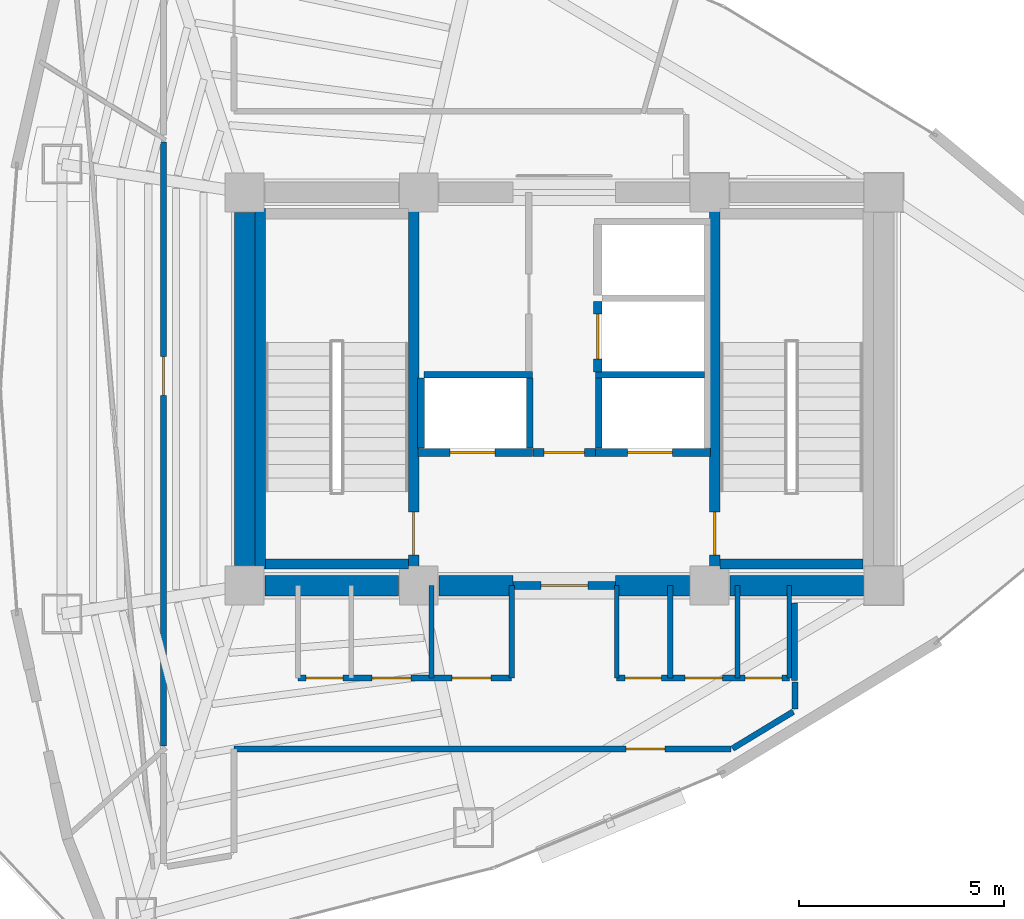
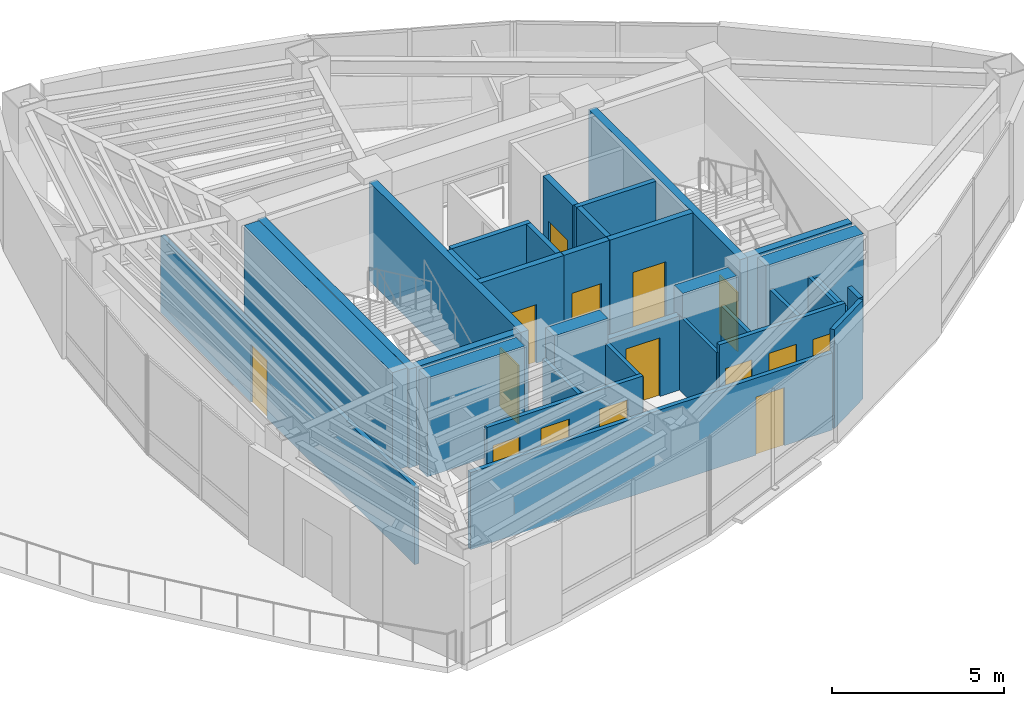
# One storey, part 13 of 17: 33 walls, 15 doors, 15 openings.
"""IFC4 building model written with IfcOpenShell, lengths in metres."""

from ifc_helpers import new_model, si_unit, direction, frame, frame_2d, origin, place, context, subcontext, project, spatial, rectangle, extrude, material, layer, layer_set, type_object, element, fill, save


model = new_model("IFC4")

# Units and contexts
model_context = context("Model", 3, precision=1e-05, world=origin(), true_north=direction((0.0, 1.0)))
body_context = subcontext(model_context, "Body", "Model", "MODEL_VIEW")
ifc_project = project(units=[si_unit("LENGTHUNIT", "METRE"), si_unit("AREAUNIT", "SQUARE_METRE"), si_unit("VOLUMEUNIT", "CUBIC_METRE"), si_unit("PLANEANGLEUNIT", "RADIAN"), si_unit("MASSUNIT", "GRAM", prefix="KILO")], contexts=[model_context])

# Site, building, storey
site_placement = place(None, origin())
site = spatial("IfcSite", under=ifc_project, at=site_placement, CompositionType="ELEMENT")
building_placement = place(site_placement, origin())
building = spatial("IfcBuilding", under=site, at=building_placement, Name="Menara Vayukalpa", CompositionType="ELEMENT")
storey_placement = place(building_placement, frame((0.0, 0.0, 206.39990234375)))
storey = spatial("IfcBuildingStorey", under=building, at=storey_placement, Name="L52", CompositionType="ELEMENT", Elevation=206.39990234375)

# Walls
ifc_material_1 = material(Name="Concrete C60/75", Category="concrete")
ifc_layer_1 = layer(ifc_material_1, 0.5)
ifc_layer_set_1 = layer_set([ifc_layer_1], Name="Concrete C60/75")
wall_type_1 = type_object("IfcWallType", Name="WAL-CW500", PredefinedType="SHEAR", material=ifc_layer_set_1)
wall_1_placement = place(storey_placement, frame((18.294921875, 17.199951171875, 0.0), z_axis=(0.0, 0.0, 1.0), x_axis=(1.0, 0.0, 0.0)))
element("IfcWall", 1, at=wall_1_placement, inside=storey, type_object=wall_type_1, Name="L52 Buttressed Core Shear Wall CWS1", PredefinedType="SHEAR", context=body_context, shape_type="SweptSolid", body=[
    extrude(rectangle(XDim=3.260009765625, YDim=0.5, at=frame_2d((1.6298828125, 0.0))), origin(), (0.0, 0.0, 1.0), 3.5),
])
wall_2_placement = place(storey_placement, frame((22.544921875, 17.199951171875, 0.0), z_axis=(0.0, 0.0, 1.0), x_axis=(1.0, 0.0, 0.0)))
element("IfcWall", 2, at=wall_2_placement, inside=storey, type_object=wall_type_1, Name="L52 Buttressed Core Shear Wall CWS2", PredefinedType="SHEAR", context=body_context, shape_type="SweptSolid", body=[
    extrude(rectangle(XDim=1.80517578125, YDim=0.5, at=frame_2d((0.902587890625, 0.0))), origin(), (0.0, 0.0, 1.0), 3.5),
])
wall_3_placement = place(storey_placement, frame((26.85009765625, 17.199951171875, 0.0), z_axis=(0.0, 0.0, 1.0), x_axis=(1.0, 0.0, 0.0)))
element("IfcWall", 3, at=wall_3_placement, inside=storey, type_object=wall_type_1, Name="L52 Buttressed Core Shear Wall CWS3", PredefinedType="SHEAR", context=body_context, shape_type="SweptSolid", body=[
    extrude(rectangle(XDim=1.804931640625, YDim=0.5, at=frame_2d((0.90234375, 0.0))), origin(), (0.0, 0.0, 1.0), 3.5),
])
wall_4_placement = place(storey_placement, frame((29.64501953125, 17.199951171875, 0.0), z_axis=(0.0, 0.0, 1.0), x_axis=(1.0, 0.0, 0.0)))
element("IfcWall", 4, at=wall_4_placement, inside=storey, type_object=wall_type_1, Name="L52 Buttressed Core Shear Wall CWS4", PredefinedType="SHEAR", context=body_context, shape_type="SweptSolid", body=[
    extrude(rectangle(XDim=3.260009765625, YDim=0.5, at=frame_2d((1.6298828125, 0.0))), origin(), (0.0, 0.0, 1.0), 3.5),
])
wall_5_placement = place(storey_placement, frame((17.800048828125, 17.695068359375, 0.0), z_axis=(0.0, 0.0, 1.0), x_axis=(0.0, 1.0, 0.0)))
element("IfcWall", 5, at=wall_5_placement, inside=storey, type_object=wall_type_1, Name="L52 Buttressed Core Shear Wall CWW1", PredefinedType="SHEAR", context=body_context, shape_type="SweptSolid", body=[
    extrude(rectangle(XDim=8.60986328125, YDim=0.5, at=frame_2d((4.304931640625, 0.0))), origin(), (0.0, 0.0, 1.0), 3.5),
])
ifc_material_2 = material(Name="Lightweight Concrete Blockwork C16/20", Category="masonry")
ifc_layer_2 = layer(ifc_material_2, 0.159912109375)
ifc_layer_set_2 = layer_set([ifc_layer_2], Name="Lightweight Concrete Blockwork C16/20")
wall_type_2 = type_object("IfcWallType", Name="WAL-FR150", PredefinedType="PARTITIONING", material=ifc_layer_set_2)
for number, where, z_axis, x_axis, name in (
    (6, (22.10498046875, 20.56005859375, 0.0), (0.0, 0.0, 1.0), (0.0, 1.0, 0.0), "L52 Interior Partition IW-L52-SHW-WW"),
    (7, (24.7548828125, 20.56005859375, 0.0), (0.0, 0.0, 1.0), (0.0, 1.0, 0.0), "L52 Interior Partition IW-L52-SHW-W1E"),
):
    element("IfcWall", number, at=place(storey_placement, frame(where, z_axis=z_axis, x_axis=x_axis)), inside=storey, type_object=wall_type_2, Name=name, PredefinedType="PARTITIONING", context=body_context, shape_type="SweptSolid", body=[
        extrude(rectangle(XDim=1.7099609375, YDim=0.159912109375, at=frame_2d((0.85498046875, 0.0))), origin(), (0.0, 0.0, 1.0), 3.5),
    ])
wall_6_placement = place(storey_placement, frame((22.179931640625, 22.344970703125, 0.0), z_axis=(0.0, 0.0, 1.0), x_axis=(1.0, 0.0, 0.0)))
element("IfcWall", 8, at=wall_6_placement, inside=storey, type_object=wall_type_2, Name="L52 Interior Partition IW-L52-SHM-W12", PredefinedType="PARTITIONING", context=body_context, shape_type="SweptSolid", body=[
    extrude(rectangle(XDim=2.650146484375, YDim=0.159912109375, at=frame_2d((1.3251953125, 0.0))), origin(), (0.0, 0.0, 1.0), 3.5),
])
wall_7_placement = place(storey_placement, frame((26.445068359375, 20.56005859375, 0.0), z_axis=(0.0, 0.0, 1.0), x_axis=(0.0, 1.0, 0.0)))
element("IfcWall", 9, at=wall_7_placement, inside=storey, type_object=wall_type_2, Name="L52 Interior Partition IW-L52-SHW-E1W", PredefinedType="PARTITIONING", context=body_context, shape_type="SweptSolid", body=[
    extrude(rectangle(XDim=1.7099609375, YDim=0.159912109375, at=frame_2d((0.85498046875, 0.0))), origin(), (0.0, 0.0, 1.0), 3.5),
])
wall_8_placement = place(storey_placement, frame((26.3701171875, 22.344970703125, 0.0), z_axis=(0.0, 0.0, 1.0), x_axis=(1.0, 0.0, 0.0)))
element("IfcWall", 10, at=wall_8_placement, inside=storey, type_object=wall_type_2, Name="L52 Interior Partition IW-L52-SHM-E13", PredefinedType="PARTITIONING", context=body_context, shape_type="SweptSolid", body=[
    extrude(rectangle(XDim=2.64990234375, YDim=0.159912109375, at=frame_2d((1.324951171875, 0.0))), origin(), (0.0, 0.0, 1.0), 3.5),
])

# Wall, opening, door
ifc_material_3 = material(Name="Lightweight Concrete Blockwork C16/20", Category="masonry")
ifc_layer_3 = layer(ifc_material_3, 0.199951171875)
ifc_layer_set_3 = layer_set([ifc_layer_3], Name="Lightweight Concrete Blockwork C16/20")
wall_type_3 = type_object("IfcWallType", Name="WAL-FR200", PredefinedType="PARTITIONING", material=ifc_layer_set_3)
wall_9_placement = place(storey_placement, frame((24.35009765625, 17.199951171875, 0.0), z_axis=(0.0, 0.0, 1.0), x_axis=(1.0, 0.0, 0.0)))
wall_9 = element("IfcWall", 11, at=wall_9_placement, inside=storey, type_object=wall_type_3, Name="L52 Interior Partition IW-L52-FFLS", PredefinedType="PARTITIONING", context=body_context, shape_type="SweptSolid", body=[
    extrude(rectangle(XDim=2.5, YDim=0.199951171875, at=frame_2d((1.25, 0.0))), origin(), (0.0, 0.0, 1.0), 2.630126953125),
])
opening_1_placement = place(wall_9_placement, frame((0.679931640625, 0.0, 0.0)))
opening_1 = element("IfcOpeningElement", 12, at=opening_1_placement, cuts=wall_9, Name="Opening ID2", PredefinedType="OPENING", context=body_context, shape_type="SweptSolid", body=[
    extrude(rectangle(XDim=1.14990234375, YDim=2.080078125, at=frame_2d((0.574951171875, 1.0400390625))), frame((0.0, 0.10986328125, 0.0), z_axis=(0.0, -1.0, 0.0), x_axis=(1.0, 0.0, 0.0)), (0.0, 0.0, 1.0), 0.219970703125),
])
ifc_material_4 = material(Name="Fire-Rated Powder-Coated Steel Door", Category="steel")
door_type_1 = type_object("IfcDoorType", Name="DR-FD60W", OperationType="NOTDEFINED", PredefinedType="DOOR", material=ifc_material_4)
door_1_placement = place(opening_1_placement, origin())
door_1 = element("IfcDoor", 13, at=door_1_placement, inside=storey, type_object=door_type_1, Name="L52 Interior Door DR-L52-FFLS", OperationType="SINGLE_SWING_LEFT", OverallHeight=2.080078125, OverallWidth=1.14990234375, PredefinedType="DOOR", context=body_context, shape_type="SweptSolid", body=[
    extrude(rectangle(XDim=1.14990234375, YDim=2.080078125, at=frame_2d((0.574951171875, 1.0400390625))), frame((0.0, 0.02490234375, 0.0), z_axis=(0.0, -1.0, 0.0), x_axis=(1.0, 0.0, 0.0)), (0.0, 0.0, 1.0), 0.050048828125),
])
fill(opening_1, door_1)

wall_10_placement = place(storey_placement, frame((24.840087890625, 20.449951171875, 0.0), z_axis=(0.0, 0.0, 1.0), x_axis=(1.0, 0.0, 0.0)))
wall_10 = element("IfcWall", 14, at=wall_10_placement, inside=storey, type_object=wall_type_3, Name="L52 Interior Partition IW-L52-FFLN", PredefinedType="PARTITIONING", context=body_context, shape_type="SweptSolid", body=[
    extrude(rectangle(XDim=1.52001953125, YDim=0.199951171875, at=frame_2d((0.760009765625, 0.0))), origin(), (0.0, 0.0, 1.0), 3.5),
])
opening_2_placement = place(wall_10_placement, frame((0.27001953125, 0.0, 0.0)))
opening_2 = element("IfcOpeningElement", 15, at=opening_2_placement, cuts=wall_10, Name="Opening ID3", PredefinedType="OPENING", context=body_context, shape_type="SweptSolid", body=[
    extrude(rectangle(XDim=0.97998046875, YDim=2.06005859375, at=frame_2d((0.489990234375, 1.030029296875))), frame((0.0, 0.10986328125, 0.0), z_axis=(0.0, -1.0, 0.0), x_axis=(1.0, 0.0, 0.0)), (0.0, 0.0, 1.0), 0.219970703125),
])
ifc_material_5 = material(Name="Fire-Rated Powder-Coated Steel Door", Category="steel")
door_type_2 = type_object("IfcDoorType", Name="DR-FD60", OperationType="NOTDEFINED", PredefinedType="DOOR", material=ifc_material_5)
door_2_placement = place(opening_2_placement, origin())
door_2 = element("IfcDoor", 16, at=door_2_placement, inside=storey, type_object=door_type_2, Name="L52 Interior Door DR-L52-FFLN", OperationType="SINGLE_SWING_RIGHT", OverallHeight=2.06005859375, OverallWidth=0.97998046875, PredefinedType="DOOR", context=body_context, shape_type="SweptSolid", body=[
    extrude(rectangle(XDim=0.97998046875, YDim=2.06005859375, at=frame_2d((0.489990234375, 1.030029296875))), frame((0.0, 0.02490234375, 0.0), z_axis=(0.0, -1.0, 0.0), x_axis=(1.0, 0.0, 0.0)), (0.0, 0.0, 1.0), 0.050048828125),
])
fill(opening_2, door_2)

wall_11_placement = place(storey_placement, frame((22.030029296875, 20.449951171875, 0.0), z_axis=(0.0, 0.0, 1.0), x_axis=(1.0, 0.0, 0.0)))
wall_11 = element("IfcWall", 17, at=wall_11_placement, inside=storey, type_object=wall_type_3, Name="L52 Interior Partition IW-L52-SH-W1", PredefinedType="PARTITIONING", context=body_context, shape_type="SweptSolid", body=[
    extrude(rectangle(XDim=2.800048828125, YDim=0.199951171875, at=frame_2d((1.39990234375, 0.0))), origin(), (0.0, 0.0, 1.0), 3.5),
])
opening_3_placement = place(wall_11_placement, frame((0.780029296875, 0.0, 0.0)))
opening_3 = element("IfcOpeningElement", 18, at=opening_3_placement, cuts=wall_11, Name="Opening LD1", PredefinedType="OPENING", context=body_context, shape_type="SweptSolid", body=[
    extrude(rectangle(XDim=1.10009765625, YDim=2.080078125, at=frame_2d((0.550048828125, 1.0400390625))), frame((0.0, 0.10986328125, 0.0), z_axis=(0.0, -1.0, 0.0), x_axis=(1.0, 0.0, 0.0)), (0.0, 0.0, 1.0), 0.219970703125),
])
ifc_material_6 = material(Name="Brushed Stainless Steel 316 Lift Door", Category="steel")
door_type_3 = type_object("IfcDoorType", Name="DR-LD110", OperationType="NOTDEFINED", PredefinedType="DOOR", material=ifc_material_6)
door_3_placement = place(opening_3_placement, origin())
door_3 = element("IfcDoor", 19, at=door_3_placement, inside=storey, type_object=door_type_3, Name="L52 Interior Door DR-L52-LD-W1", OperationType="DOUBLE_DOOR_SLIDING", OverallHeight=2.080078125, OverallWidth=1.10009765625, PredefinedType="DOOR", context=body_context, shape_type="SweptSolid", body=[
    extrude(rectangle(XDim=1.10009765625, YDim=2.080078125, at=frame_2d((0.550048828125, 1.0400390625))), frame((0.0, 0.02490234375, 0.0), z_axis=(0.0, -1.0, 0.0), x_axis=(1.0, 0.0, 0.0)), (0.0, 0.0, 1.0), 0.050048828125),
])
fill(opening_3, door_3)

wall_12_placement = place(storey_placement, frame((26.3701171875, 20.449951171875, 0.0), z_axis=(0.0, 0.0, 1.0), x_axis=(1.0, 0.0, 0.0)))
wall_12 = element("IfcWall", 20, at=wall_12_placement, inside=storey, type_object=wall_type_3, Name="L52 Interior Partition IW-L52-SH-E1", PredefinedType="PARTITIONING", context=body_context, shape_type="SweptSolid", body=[
    extrude(rectangle(XDim=2.7998046875, YDim=0.199951171875, at=frame_2d((1.39990234375, 0.0))), origin(), (0.0, 0.0, 1.0), 3.5),
])
opening_4_placement = place(wall_12_placement, frame((0.780029296875, 0.0, 0.0)))
opening_4 = element("IfcOpeningElement", 21, at=opening_4_placement, cuts=wall_12, Name="Opening LD1", PredefinedType="OPENING", context=body_context, shape_type="SweptSolid", body=[
    extrude(rectangle(XDim=1.10009765625, YDim=2.080078125, at=frame_2d((0.550048828125, 1.0400390625))), frame((0.0, 0.10986328125, 0.0), z_axis=(0.0, -1.0, 0.0), x_axis=(1.0, 0.0, 0.0)), (0.0, 0.0, 1.0), 0.219970703125),
])
door_4_placement = place(opening_4_placement, origin())
door_4 = element("IfcDoor", 22, at=door_4_placement, inside=storey, type_object=door_type_3, Name="L52 Interior Door DR-L52-LD-E1", OperationType="DOUBLE_DOOR_SLIDING", OverallHeight=2.080078125, OverallWidth=1.10009765625, PredefinedType="DOOR", context=body_context, shape_type="SweptSolid", body=[
    extrude(rectangle(XDim=1.10009765625, YDim=2.080078125, at=frame_2d((0.550048828125, 1.0400390625))), frame((0.0, 0.02490234375, 0.0), z_axis=(0.0, -1.0, 0.0), x_axis=(1.0, 0.0, 0.0)), (0.0, 0.0, 1.0), 0.050048828125),
])
fill(opening_4, door_4)

wall_13_placement = place(storey_placement, frame((26.419921875, 22.419921875, 0.0), z_axis=(0.0, 0.0, 1.0), x_axis=(0.0, 1.0, 0.0)))
wall_13 = element("IfcWall", 23, at=wall_13_placement, inside=storey, type_object=wall_type_3, Name="L52 Interior Partition IW-L52-SH-E3", PredefinedType="PARTITIONING", context=body_context, shape_type="SweptSolid", body=[
    extrude(rectangle(XDim=1.719970703125, YDim=0.199951171875, at=frame_2d((0.85986328125, 0.0))), origin(), (0.0, 0.0, 1.0), 3.5),
])
opening_5_placement = place(wall_13_placement, frame((0.31005859375, 0.0, 0.0)))
opening_5 = element("IfcOpeningElement", 24, at=opening_5_placement, cuts=wall_13, Name="Opening LD1", PredefinedType="OPENING", context=body_context, shape_type="SweptSolid", body=[
    extrude(rectangle(XDim=1.10009765625, YDim=2.080078125, at=frame_2d((0.550048828125, 1.0400390625))), frame((0.0, 0.10986328125, 0.0), z_axis=(0.0, -1.0, 0.0), x_axis=(1.0, 0.0, 0.0)), (0.0, 0.0, 1.0), 0.219970703125),
])
door_5_placement = place(opening_5_placement, origin())
door_5 = element("IfcDoor", 25, at=door_5_placement, inside=storey, type_object=door_type_3, Name="L52 Interior Door DR-L52-LD-E3", OperationType="DOUBLE_DOOR_SLIDING", OverallHeight=2.080078125, OverallWidth=1.10009765625, PredefinedType="DOOR", context=body_context, shape_type="SweptSolid", body=[
    extrude(rectangle(XDim=1.10009765625, YDim=2.080078125, at=frame_2d((0.550048828125, 1.0400390625))), frame((0.0, 0.02490234375, 0.0), z_axis=(0.0, -1.0, 0.0), x_axis=(1.0, 0.0, 0.0)), (0.0, 0.0, 1.0), 0.050048828125),
])
fill(opening_5, door_5)

# Walls
ifc_material_7 = material(Name="Acoustic Mineral Stud Partition", Category="masonry")
ifc_layer_4 = layer(ifc_material_7, 0.110107421875)
ifc_layer_set_4 = layer_set([ifc_layer_4], Name="Acoustic Mineral Stud Partition")
wall_type_4 = type_object("IfcWallType", Name="WAL-PT110", PredefinedType="PARTITIONING", material=ifc_layer_set_4)
for number, where, z_axis, x_axis, name in (
    (26, (26.8798828125, 14.949951171875, 0.0), (0.0, 0.0, 1.0), (0.0, 1.0, 0.0), "L52 Interior Partition IW-L52-SVCD-05"),
    (27, (31.10009765625, 14.949951171875, 0.0), (0.0, 0.0, 1.0), (0.0, 1.0, 0.0), "L52 Interior Partition IW-L52-SVCD-08"),
):
    element("IfcWall", number, at=place(storey_placement, frame(where, z_axis=z_axis, x_axis=x_axis)), inside=storey, type_object=wall_type_4, Name=name, PredefinedType="PARTITIONING", context=body_context, shape_type="SweptSolid", body=[
        extrude(rectangle(XDim=2.25, YDim=0.110107421875, at=frame_2d((1.125, 0.0))), origin(), (0.0, 0.0, 1.0), 2.630126953125),
    ])
ifc_material_8 = material(Name="Gypsum Drywall Steel Stud Assembly", Category="steel")
ifc_layer_5 = layer(ifc_material_8, 0.125)
ifc_layer_set_5 = layer_set([ifc_layer_5], Name="Gypsum Drywall Steel Stud Assembly")
wall_type_5 = type_object("IfcWallType", Name="WAL-PT125", PredefinedType="PARTITIONING", material=ifc_layer_set_5)
for number, where, z_axis, x_axis, name in (
    (28, (22.360107421875, 14.949951171875, 0.0), (0.0, 0.0, 1.0), (0.0, 1.0, 0.0), "L52 Interior Partition IW-L52-SVCD-03"),
    (29, (24.320068359375, 14.949951171875, 0.0), (0.0, 0.0, 1.0), (0.0, 1.0, 0.0), "L52 Interior Partition IW-L52-SVCD-04"),
    (30, (28.18994140625, 14.949951171875, 0.0), (0.0, 0.0, 1.0), (0.0, 1.0, 0.0), "L52 Interior Partition IW-L52-SVCD-06"),
    (31, (29.830078125, 14.949951171875, 0.0), (0.0, 0.0, 1.0), (0.0, 1.0, 0.0), "L52 Interior Partition IW-L52-SVCD-07"),
):
    element("IfcWall", number, at=place(storey_placement, frame(where, z_axis=z_axis, x_axis=x_axis)), inside=storey, type_object=wall_type_5, Name=name, PredefinedType="PARTITIONING", context=body_context, shape_type="SweptSolid", body=[
        extrude(rectangle(XDim=2.25, YDim=0.125, at=frame_2d((1.125, 0.0))), origin(), (0.0, 0.0, 1.0), 2.630126953125),
    ])

# Wall, openings, doors
ifc_material_9 = material(Name="Gypsum Drywall Acoustic Stud Assembly", Category="masonry")
ifc_layer_6 = layer(ifc_material_9, 0.14501953125)
ifc_layer_set_6 = layer_set([ifc_layer_6], Name="Gypsum Drywall Acoustic Stud Assembly")
wall_type_6 = type_object("IfcWallType", Name="WAL-PT150", PredefinedType="PARTITIONING", material=ifc_layer_set_6)
wall_14_placement = place(storey_placement, frame((19.10009765625, 14.949951171875, 0.0), z_axis=(0.0, 0.0, 1.0), x_axis=(1.0, 0.0, 0.0)))
wall_14 = element("IfcWall", 32, at=wall_14_placement, inside=storey, type_object=wall_type_6, Name="L52 Interior Partition IW-L52-SVCS-W", PredefinedType="PARTITIONING", context=body_context, shape_type="SweptSolid", body=[
    extrude(rectangle(XDim=5.219970703125, YDim=0.14501953125, at=frame_2d((2.60986328125, 0.0))), origin(), (0.0, 0.0, 1.0), 2.72998046875),
])
opening_6_placement = place(wall_14_placement, frame((0.199951171875, 0.0, 0.0)))
opening_6 = element("IfcOpeningElement", 33, at=opening_6_placement, cuts=wall_14, Name="Opening ID7", PredefinedType="OPENING", context=body_context, shape_type="SweptSolid", body=[
    extrude(rectangle(XDim=0.89990234375, YDim=2.02001953125, at=frame_2d((0.449951171875, 1.010009765625))), frame((0.0, 0.08251953125, 0.0), z_axis=(0.0, -1.0, 0.0), x_axis=(1.0, 0.0, 0.0)), (0.0, 0.0, 1.0), 0.1650390625),
])
opening_7_placement = place(wall_14_placement, frame((1.804931640625, 0.0, 0.0)))
opening_7 = element("IfcOpeningElement", 34, at=opening_7_placement, cuts=wall_14, Name="Opening ID5", PredefinedType="OPENING", context=body_context, shape_type="SweptSolid", body=[
    extrude(rectangle(XDim=0.949951171875, YDim=2.06005859375, at=frame_2d((0.47509765625, 1.030029296875))), frame((0.0, 0.08251953125, 0.0), z_axis=(0.0, -1.0, 0.0), x_axis=(1.0, 0.0, 0.0)), (0.0, 0.0, 1.0), 0.1650390625),
])
opening_8_placement = place(wall_14_placement, frame((3.764892578125, 0.0, 0.0)))
opening_8 = element("IfcOpeningElement", 35, at=opening_8_placement, cuts=wall_14, Name="Opening ID5", PredefinedType="OPENING", context=body_context, shape_type="SweptSolid", body=[
    extrude(rectangle(XDim=0.949951171875, YDim=2.06005859375, at=frame_2d((0.47509765625, 1.030029296875))), frame((0.0, 0.08251953125, 0.0), z_axis=(0.0, -1.0, 0.0), x_axis=(1.0, 0.0, 0.0)), (0.0, 0.0, 1.0), 0.1650390625),
])
ifc_material_10 = material(Name="Acoustic Hardwood Veneer Timber Door", Category="wood")
door_type_4 = type_object("IfcDoorType", Name="DR-INT95", OperationType="NOTDEFINED", PredefinedType="DOOR", material=ifc_material_10)
door_6_placement = place(opening_7_placement, origin())
door_6 = element("IfcDoor", 36, at=door_6_placement, inside=storey, type_object=door_type_4, Name="L52 Interior Door DR-L52-AWC", OperationType="SINGLE_SWING_LEFT", OverallHeight=2.06005859375, OverallWidth=0.949951171875, PredefinedType="DOOR", context=body_context, shape_type="SweptSolid", body=[
    extrude(rectangle(XDim=0.949951171875, YDim=2.06005859375, at=frame_2d((0.47509765625, 1.030029296875))), frame((0.0, 0.02490234375, 0.0), z_axis=(0.0, -1.0, 0.0), x_axis=(1.0, 0.0, 0.0)), (0.0, 0.0, 1.0), 0.050048828125),
])
fill(opening_7, door_6)
door_7_placement = place(opening_8_placement, origin())
door_7 = element("IfcDoor", 37, at=door_7_placement, inside=storey, type_object=door_type_4, Name="L52 Interior Door DR-L52-SWC", OperationType="SINGLE_SWING_RIGHT", OverallHeight=2.06005859375, OverallWidth=0.949951171875, PredefinedType="DOOR", context=body_context, shape_type="SweptSolid", body=[
    extrude(rectangle(XDim=0.949951171875, YDim=2.06005859375, at=frame_2d((0.47509765625, 1.030029296875))), frame((0.0, 0.02490234375, 0.0), z_axis=(0.0, -1.0, 0.0), x_axis=(1.0, 0.0, 0.0)), (0.0, 0.0, 1.0), 0.050048828125),
])
fill(opening_8, door_7)
ifc_material_11 = material(Name="Powder-Coated Steel Riser Access Door", Category="steel")
door_type_5 = type_object("IfcDoorType", Name="DR-RISER", OperationType="NOTDEFINED", PredefinedType="DOOR", material=ifc_material_11)
door_8_placement = place(opening_6_placement, origin())
door_8 = element("IfcDoor", 38, at=door_8_placement, inside=storey, type_object=door_type_5, Name="L52 Interior Door DR-L52-ELR", OperationType="SINGLE_SWING_RIGHT", OverallHeight=2.02001953125, OverallWidth=0.89990234375, PredefinedType="DOOR", context=body_context, shape_type="SweptSolid", body=[
    extrude(rectangle(XDim=0.89990234375, YDim=2.02001953125, at=frame_2d((0.449951171875, 1.010009765625))), frame((0.0, 0.02490234375, 0.0), z_axis=(0.0, -1.0, 0.0), x_axis=(1.0, 0.0, 0.0)), (0.0, 0.0, 1.0), 0.050048828125),
])
fill(opening_6, door_8)

wall_15_placement = place(storey_placement, frame((26.8798828125, 14.949951171875, 0.0), z_axis=(0.0, 0.0, 1.0), x_axis=(1.0, 0.0, 0.0)))
wall_15 = element("IfcWall", 39, at=wall_15_placement, inside=storey, type_object=wall_type_6, Name="L52 Interior Partition IW-L52-SVCS-E", PredefinedType="PARTITIONING", context=body_context, shape_type="SweptSolid", body=[
    extrude(rectangle(XDim=4.22021484375, YDim=0.14501953125, at=frame_2d((2.110107421875, 0.0))), origin(), (0.0, 0.0, 1.0), 2.93017578125),
])
opening_9_placement = place(wall_15_placement, frame((0.199951171875, 0.0, 0.0)))
opening_9 = element("IfcOpeningElement", 40, at=opening_9_placement, cuts=wall_15, Name="Opening ID7", PredefinedType="OPENING", context=body_context, shape_type="SweptSolid", body=[
    extrude(rectangle(XDim=0.89990234375, YDim=2.02001953125, at=frame_2d((0.449951171875, 1.010009765625))), frame((0.0, 0.08251953125, 0.0), z_axis=(0.0, -1.0, 0.0), x_axis=(1.0, 0.0, 0.0)), (0.0, 0.0, 1.0), 0.1650390625),
])
opening_10_placement = place(wall_15_placement, frame((1.669921875, 0.0, 0.0)))
opening_10 = element("IfcOpeningElement", 41, at=opening_10_placement, cuts=wall_15, Name="Opening ID6", PredefinedType="OPENING", context=body_context, shape_type="SweptSolid", body=[
    extrude(rectangle(XDim=0.919921875, YDim=2.050048828125, at=frame_2d((0.4599609375, 1.02490234375))), frame((0.0, 0.08251953125, 0.0), z_axis=(0.0, -1.0, 0.0), x_axis=(1.0, 0.0, 0.0)), (0.0, 0.0, 1.0), 0.1650390625),
])
opening_11_placement = place(wall_15_placement, frame((3.139892578125, 0.0, 0.0)))
opening_11 = element("IfcOpeningElement", 42, at=opening_11_placement, cuts=wall_15, Name="Opening ID7", PredefinedType="OPENING", context=body_context, shape_type="SweptSolid", body=[
    extrude(rectangle(XDim=0.89990234375, YDim=2.02001953125, at=frame_2d((0.449951171875, 1.010009765625))), frame((0.0, 0.08251953125, 0.0), z_axis=(0.0, -1.0, 0.0), x_axis=(1.0, 0.0, 0.0)), (0.0, 0.0, 1.0), 0.1650390625),
])
ifc_material_12 = material(Name="Acoustic Hardwood Veneer Timber Door", Category="wood")
door_type_6 = type_object("IfcDoorType", Name="DR-INT92", OperationType="NOTDEFINED", PredefinedType="DOOR", material=ifc_material_12)
door_9_placement = place(opening_10_placement, origin())
door_9 = element("IfcDoor", 43, at=door_9_placement, inside=storey, type_object=door_type_6, Name="L52 Interior Door DR-L52-KSV2", OperationType="SINGLE_SWING_RIGHT", OverallHeight=2.050048828125, OverallWidth=0.919921875, PredefinedType="DOOR", context=body_context, shape_type="SweptSolid", body=[
    extrude(rectangle(XDim=0.919921875, YDim=2.050048828125, at=frame_2d((0.4599609375, 1.02490234375))), frame((0.0, 0.02490234375, 0.0), z_axis=(0.0, -1.0, 0.0), x_axis=(1.0, 0.0, 0.0)), (0.0, 0.0, 1.0), 0.050048828125),
])
fill(opening_10, door_9)
door_10_placement = place(opening_9_placement, origin())
door_10 = element("IfcDoor", 44, at=door_10_placement, inside=storey, type_object=door_type_5, Name="L52 Interior Door DR-L52-KSV1", OperationType="SINGLE_SWING_LEFT", OverallHeight=2.02001953125, OverallWidth=0.89990234375, PredefinedType="DOOR", context=body_context, shape_type="SweptSolid", body=[
    extrude(rectangle(XDim=0.89990234375, YDim=2.02001953125, at=frame_2d((0.449951171875, 1.010009765625))), frame((0.0, 0.02490234375, 0.0), z_axis=(0.0, -1.0, 0.0), x_axis=(1.0, 0.0, 0.0)), (0.0, 0.0, 1.0), 0.050048828125),
])
fill(opening_9, door_10)
door_11_placement = place(opening_11_placement, origin())
door_11 = element("IfcDoor", 45, at=door_11_placement, inside=storey, type_object=door_type_5, Name="L52 Interior Door DR-L52-SMD", OperationType="SINGLE_SWING_LEFT", OverallHeight=2.02001953125, OverallWidth=0.89990234375, PredefinedType="DOOR", context=body_context, shape_type="SweptSolid", body=[
    extrude(rectangle(XDim=0.89990234375, YDim=2.02001953125, at=frame_2d((0.449951171875, 1.010009765625))), frame((0.0, 0.02490234375, 0.0), z_axis=(0.0, -1.0, 0.0), x_axis=(1.0, 0.0, 0.0)), (0.0, 0.0, 1.0), 0.050048828125),
])
fill(opening_11, door_11)

# Wall, opening, door
wall_16_placement = place(storey_placement, frame((17.5400390625, 13.2099609375, 0.0), z_axis=(0.0, 0.0, 1.0), x_axis=(1.0, 0.0, 0.0)))
wall_16 = element("IfcWall", 46, at=wall_16_placement, inside=storey, type_object=wall_type_6, Name="L52 Interior Partition IW-L52-CRM03-4", PredefinedType="PARTITIONING", context=body_context, shape_type="SweptSolid", body=[
    extrude(rectangle(XDim=12.12744140625, YDim=0.14501953125, at=frame_2d((6.063720703125, 0.0))), origin(), (0.0, 0.0, 1.0), 2.72998046875),
])
opening_12_placement = place(wall_16_placement, frame((9.5703125, 0.0, 0.0)))
opening_12 = element("IfcOpeningElement", 47, at=opening_12_placement, cuts=wall_16, Name="Opening ID5", PredefinedType="OPENING", context=body_context, shape_type="SweptSolid", body=[
    extrude(rectangle(XDim=0.949951171875, YDim=2.06005859375, at=frame_2d((0.47509765625, 1.030029296875))), frame((0.0, 0.08251953125, 0.0), z_axis=(0.0, -1.0, 0.0), x_axis=(1.0, 0.0, 0.0)), (0.0, 0.0, 1.0), 0.1650390625),
])
door_12_placement = place(opening_12_placement, origin())
door_12 = element("IfcDoor", 48, at=door_12_placement, inside=storey, type_object=door_type_4, Name="L52 Interior Door DR-L52-RM03", OperationType="SINGLE_SWING_RIGHT", OverallHeight=2.06005859375, OverallWidth=0.949951171875, PredefinedType="DOOR", context=body_context, shape_type="SweptSolid", body=[
    extrude(rectangle(XDim=0.949951171875, YDim=2.06005859375, at=frame_2d((0.47509765625, 1.030029296875))), frame((0.0, 0.02490234375, 0.0), z_axis=(0.0, -1.0, 0.0), x_axis=(1.0, 0.0, 0.0)), (0.0, 0.0, 1.0), 0.050048828125),
])
fill(opening_12, door_12)

# Walls
wall_17_placement = place(storey_placement, frame((29.708984375, 13.2216796875, 0.0), z_axis=(0.0, 0.0, 1.0), x_axis=(0.854635840942, 0.519227868451, 0.0)))
element("IfcWall", 49, at=wall_17_placement, inside=storey, type_object=wall_type_6, Name="L52 Interior Partition IW-L52-CRM03-5", PredefinedType="PARTITIONING", context=body_context, shape_type="SweptSolid", body=[
    extrude(rectangle(XDim=1.734619140625, YDim=0.14501953125, at=frame_2d((0.8671875, 0.0))), origin(), (0.0, 0.0, 1.0), 3.5),
])
wall_18_placement = place(storey_placement, frame((31.22998046875, 14.190673828125, 0.0), z_axis=(0.0, 0.0, 1.0), x_axis=(0.0, 1.0, 0.0)))
element("IfcWall", 50, at=wall_18_placement, inside=storey, type_object=wall_type_6, Name="L52 Interior Partition IW-L52-CRM03-6", PredefinedType="PARTITIONING", context=body_context, shape_type="SweptSolid", body=[
    extrude(rectangle(XDim=0.659423828125, YDim=0.14501953125, at=frame_2d((0.32958984375, 0.0))), origin(), (0.0, 0.0, 1.0), 3.5),
])
wall_19_placement = place(storey_placement, frame((31.219970703125, 14.888671875, 0.0), z_axis=(0.0, 0.0, 1.0), x_axis=(0.0, 1.0, 0.0)))
element("IfcWall", 51, at=wall_19_placement, inside=storey, type_object=wall_type_6, Name="L52 Interior Partition IW-L52-CRM03-7", PredefinedType="PARTITIONING", context=body_context, shape_type="SweptSolid", body=[
    extrude(rectangle(XDim=1.891357421875, YDim=0.14501953125, at=frame_2d((0.94580078125, 0.0))), origin(), (0.0, 0.0, 1.0), 2.630126953125),
])

# Wall, opening, door
wall_20_placement = place(storey_placement, frame((15.820068359375, 28.02880859375, 0.0), z_axis=(0.0, 0.0, 1.0), x_axis=(0.0, -1.0, 0.0)))
wall_20 = element("IfcWall", 52, at=wall_20_placement, inside=storey, type_object=wall_type_6, Name="L52 Interior Partition IW-L52-CRM05-1", PredefinedType="PARTITIONING", context=body_context, shape_type="SweptSolid", body=[
    extrude(rectangle(XDim=14.74072265625, YDim=0.14501953125, at=frame_2d((7.370361328125, 0.0))), origin(), (0.0, 0.0, 1.0), 2.72998046875),
])
opening_13_placement = place(wall_20_placement, frame((5.241455078125, 0.0, 0.0)))
opening_13 = element("IfcOpeningElement", 53, at=opening_13_placement, cuts=wall_20, Name="Opening ID5", PredefinedType="OPENING", context=body_context, shape_type="SweptSolid", body=[
    extrude(rectangle(XDim=0.949951171875, YDim=2.06005859375, at=frame_2d((0.47509765625, 1.030029296875))), frame((0.0, 0.08251953125, 0.0), z_axis=(0.0, -1.0, 0.0), x_axis=(1.0, 0.0, 0.0)), (0.0, 0.0, 1.0), 0.1650390625),
])
door_13_placement = place(opening_13_placement, origin())
door_13 = element("IfcDoor", 54, at=door_13_placement, inside=storey, type_object=door_type_4, Name="L52 Interior Door DR-L52-RM05", OperationType="SINGLE_SWING_RIGHT", OverallHeight=2.06005859375, OverallWidth=0.949951171875, PredefinedType="DOOR", context=body_context, shape_type="SweptSolid", body=[
    extrude(rectangle(XDim=0.949951171875, YDim=2.06005859375, at=frame_2d((0.47509765625, 1.030029296875))), frame((0.0, 0.02490234375, 0.0), z_axis=(0.0, -1.0, 0.0), x_axis=(1.0, 0.0, 0.0)), (0.0, 0.0, 1.0), 0.050048828125),
])
fill(opening_13, door_13)

# Wall
ifc_material_13 = material(Name="Concrete C50/60", Category="concrete")
ifc_layer_7 = layer(ifc_material_13, 0.25)
ifc_layer_set_7 = layer_set([ifc_layer_7], Name="Concrete C50/60")
wall_type_7 = type_object("IfcWallType", Name="WAL-SW250", PredefinedType="SHEAR", material=ifc_layer_set_7)
wall_21_placement = place(storey_placement, frame((18.178955078125, 17.60009765625, 0.0), z_axis=(0.0, 0.0, 1.0), x_axis=(0.0, 1.0, 0.0)))
element("IfcWall", 55, at=wall_21_placement, inside=storey, type_object=wall_type_7, Name="L52 ST1 Structural Stair Shaft Wall W", PredefinedType="SHEAR", context=body_context, shape_type="SweptSolid", body=[
    extrude(rectangle(XDim=8.7998046875, YDim=0.25, at=frame_2d((4.39990234375, 0.0))), origin(), (0.0, 0.0, 1.0), 3.5),
])

# Wall, opening, door
wall_22_placement = place(storey_placement, frame((21.925048828125, 17.60009765625, 0.0), z_axis=(0.0, 0.0, 1.0), x_axis=(0.0, 1.0, 0.0)))
wall_22 = element("IfcWall", 56, at=wall_22_placement, inside=storey, type_object=wall_type_7, Name="L52 ST1 Structural Stair Shaft Wall E", PredefinedType="SHEAR", context=body_context, shape_type="SweptSolid", body=[
    extrude(rectangle(XDim=8.7998046875, YDim=0.25, at=frame_2d((4.39990234375, 0.0))), origin(), (0.0, 0.0, 1.0), 3.5),
])
opening_14_placement = place(wall_22_placement, frame((0.35009765625, 0.0, 0.0)))
opening_14 = element("IfcOpeningElement", 57, at=opening_14_placement, cuts=wall_22, Name="Opening ID1", PredefinedType="OPENING", context=body_context, shape_type="SweptSolid", body=[
    extrude(rectangle(XDim=1.050048828125, YDim=2.080078125, at=frame_2d((0.52490234375, 1.0400390625))), frame((0.0, 0.135009765625, 0.0), z_axis=(0.0, -1.0, 0.0), x_axis=(1.0, 0.0, 0.0)), (0.0, 0.0, 1.0), 0.27001953125),
])
ifc_material_14 = material(Name="Fire-Rated Powder-Coated Steel Door", Category="steel")
door_type_7 = type_object("IfcDoorType", Name="DR-FD120", OperationType="NOTDEFINED", PredefinedType="DOOR", material=ifc_material_14)
door_14_placement = place(opening_14_placement, origin())
door_14 = element("IfcDoor", 58, at=door_14_placement, inside=storey, type_object=door_type_7, Name="L52 Stair Exit Door DR-L52-ST1", OperationType="SINGLE_SWING_LEFT", OverallHeight=2.080078125, OverallWidth=1.050048828125, PredefinedType="DOOR", context=body_context, shape_type="SweptSolid", body=[
    extrude(rectangle(XDim=1.050048828125, YDim=2.080078125, at=frame_2d((0.52490234375, 1.0400390625))), frame((0.0, 0.02490234375, 0.0), z_axis=(0.0, -1.0, 0.0), x_axis=(1.0, 0.0, 0.0)), (0.0, 0.0, 1.0), 0.050048828125),
])
fill(opening_14, door_14)

# Wall
wall_23_placement = place(storey_placement, frame((18.303955078125, 17.72509765625, 0.0), z_axis=(0.0, 0.0, 1.0), x_axis=(1.0, 0.0, 0.0)))
element("IfcWall", 59, at=wall_23_placement, inside=storey, type_object=wall_type_7, Name="L52 ST1 Structural Stair Shaft Wall S", PredefinedType="SHEAR", context=body_context, shape_type="SweptSolid", body=[
    extrude(rectangle(XDim=3.49609375, YDim=0.25, at=frame_2d((1.748046875, 0.0))), origin(), (0.0, 0.0, 1.0), 3.5),
])

# Wall, opening, door
wall_24_placement = place(storey_placement, frame((29.27490234375, 17.60009765625, 0.0), z_axis=(0.0, 0.0, 1.0), x_axis=(0.0, 1.0, 0.0)))
wall_24 = element("IfcWall", 60, at=wall_24_placement, inside=storey, type_object=wall_type_7, Name="L52 ST2 Structural Stair Shaft Wall W", PredefinedType="SHEAR", context=body_context, shape_type="SweptSolid", body=[
    extrude(rectangle(XDim=8.7998046875, YDim=0.25, at=frame_2d((4.39990234375, 0.0))), origin(), (0.0, 0.0, 1.0), 3.5),
])
opening_15_placement = place(wall_24_placement, frame((0.35009765625, 0.0, 0.0)))
opening_15 = element("IfcOpeningElement", 61, at=opening_15_placement, cuts=wall_24, Name="Opening ID1", PredefinedType="OPENING", context=body_context, shape_type="SweptSolid", body=[
    extrude(rectangle(XDim=1.050048828125, YDim=2.080078125, at=frame_2d((0.52490234375, 1.0400390625))), frame((0.0, 0.135009765625, 0.0), z_axis=(0.0, -1.0, 0.0), x_axis=(1.0, 0.0, 0.0)), (0.0, 0.0, 1.0), 0.27001953125),
])
door_15_placement = place(opening_15_placement, origin())
door_15 = element("IfcDoor", 62, at=door_15_placement, inside=storey, type_object=door_type_7, Name="L52 Stair Exit Door DR-L52-ST2", OperationType="SINGLE_SWING_RIGHT", OverallHeight=2.080078125, OverallWidth=1.050048828125, PredefinedType="DOOR", context=body_context, shape_type="SweptSolid", body=[
    extrude(rectangle(XDim=1.050048828125, YDim=2.080078125, at=frame_2d((0.52490234375, 1.0400390625))), frame((0.0, 0.02490234375, 0.0), z_axis=(0.0, -1.0, 0.0), x_axis=(1.0, 0.0, 0.0)), (0.0, 0.0, 1.0), 0.050048828125),
])
fill(opening_15, door_15)

# Wall
wall_25_placement = place(storey_placement, frame((29.39990234375, 17.72509765625, 0.0), z_axis=(0.0, 0.0, 1.0), x_axis=(1.0, 0.0, 0.0)))
element("IfcWall", 63, at=wall_25_placement, inside=storey, type_object=wall_type_7, Name="L52 ST2 Structural Stair Shaft Wall S", PredefinedType="SHEAR", context=body_context, shape_type="SweptSolid", body=[
    extrude(rectangle(XDim=3.49609375, YDim=0.25, at=frame_2d((1.748046875, 0.0))), origin(), (0.0, 0.0, 1.0), 3.5),
])

save(model, "model.ifc")
